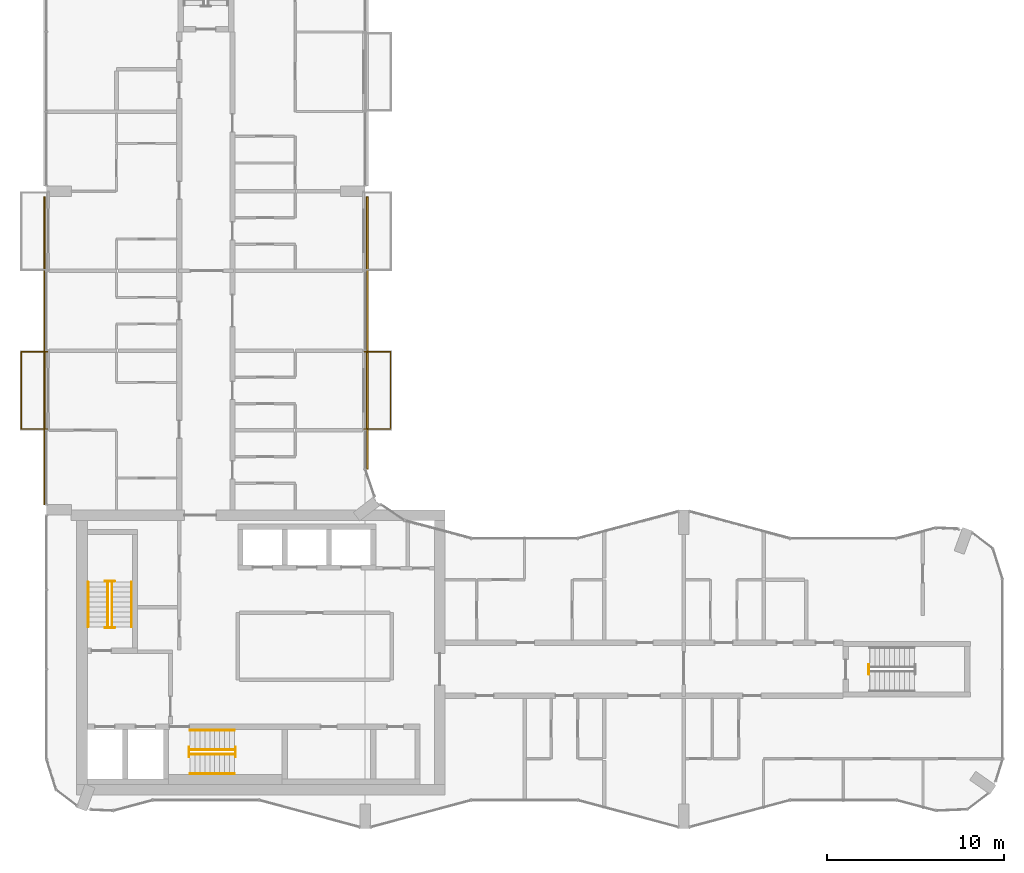
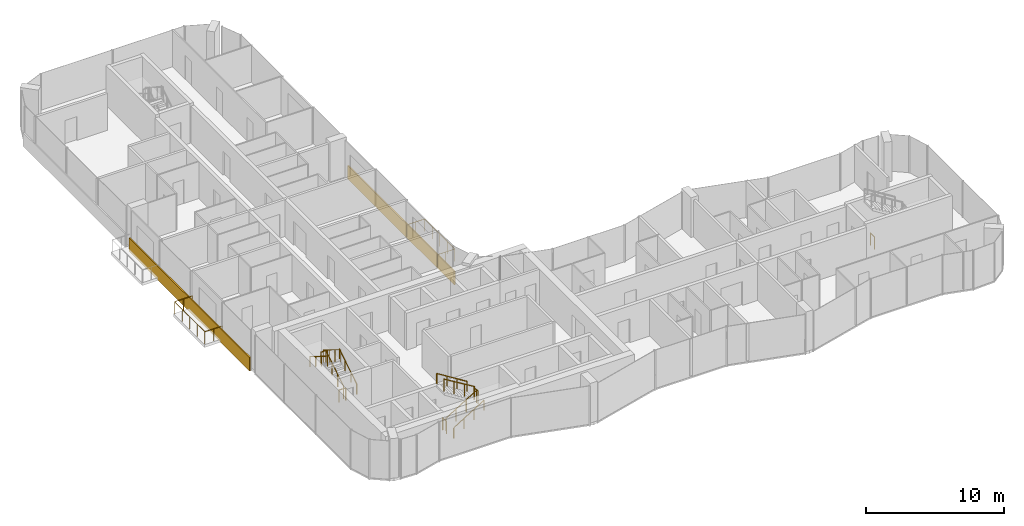
# One storey, part 15 of 17: 15 railings, 2 coverings.
"""IFC4 building model written with IfcOpenShell, lengths in metres."""

from ifc_helpers import new_model, si_unit, direction, frame, origin, origin_2d, place, context, subcontext, project, spatial, rectangle, circle, extrude, material, layer, layer_set, type_object, element, save


model = new_model("IFC4")

# Units and contexts
model_context = context("Model", 3, precision=1e-05, world=origin(), true_north=direction((0.0, 1.0)))
body_context = subcontext(model_context, "Body", "Model", "MODEL_VIEW")
ifc_project = project(units=[si_unit("LENGTHUNIT", "METRE"), si_unit("AREAUNIT", "SQUARE_METRE"), si_unit("VOLUMEUNIT", "CUBIC_METRE"), si_unit("PLANEANGLEUNIT", "RADIAN"), si_unit("MASSUNIT", "GRAM", prefix="KILO")], contexts=[model_context])

# Site, building, storey
site_placement = place(None, origin())
site = spatial("IfcSite", under=ifc_project, at=site_placement, CompositionType="ELEMENT")
building_placement = place(site_placement, origin())
building = spatial("IfcBuilding", under=site, at=building_placement, Name="Plateau Cross Towers", CompositionType="ELEMENT")
storey_placement = place(building_placement, frame((0.0, 0.0, 142.89990234375)))
storey = spatial("IfcBuildingStorey", under=building, at=storey_placement, Name="L36", CompositionType="ELEMENT", Elevation=142.89990234375)

# Railings
ifc_material_1 = material(Name="Stainless steel and toughened glass", Category="steel")
railing_type_1 = type_object("IfcRailingType", Name="Glass balustrade guard 1100", PredefinedType="GUARDRAIL", material=ifc_material_1)
railing_1_placement = place(storey_placement, frame((0.050048828125, 22.570068359375, 0.0)))
element("IfcRailing", 1, at=railing_1_placement, inside=storey, type_object=railing_type_1, Name="Guard guard1", PredefinedType="GUARDRAIL", context=body_context, shape_type="SweptSolid", body=[
    extrude(circle(Radius=0.02392578125, at=origin_2d()), frame((0.0, 0.0, 1.076171875), z_axis=(-1.0, 0.0, 0.0), x_axis=(0.0, -1.0, 0.0)), (0.0, 0.0, 1.0), 1.47998046875),
    extrude(circle(Radius=0.02392578125, at=origin_2d()), frame((-1.47998046875, 0.0, 1.076171875), z_axis=(0.0, 1.0, 0.0), x_axis=(-1.0, 0.0, 0.0)), (0.0, 0.0, 1.0), 4.35986328125),
    extrude(circle(Radius=0.02392578125, at=origin_2d()), frame((-1.47998046875, 4.35986328125, 1.076171875), z_axis=(1.0, 0.0, 0.0), x_axis=(0.0, 1.0, 0.0)), (0.0, 0.0, 1.0), 1.47998046875),
    extrude(circle(Radius=0.02099609375, at=origin_2d()), origin(), (0.0, 0.0, 1.0), 1.052001953125),
    extrude(circle(Radius=0.02099609375, at=origin_2d()), frame((-0.739990234375, 0.0, 0.0)), (0.0, 0.0, 1.0), 1.052001953125),
    extrude(circle(Radius=0.02099609375, at=origin_2d()), frame((-1.47998046875, 0.0, 0.0)), (0.0, 0.0, 1.0), 1.052001953125),
    extrude(circle(Radius=0.02099609375, at=origin_2d()), frame((-1.47998046875, 1.08984375, 0.0)), (0.0, 0.0, 1.0), 1.052001953125),
    extrude(circle(Radius=0.02099609375, at=origin_2d()), frame((-1.47998046875, 2.179931640625, 0.0)), (0.0, 0.0, 1.0), 1.052001953125),
    extrude(circle(Radius=0.02099609375, at=origin_2d()), frame((-1.47998046875, 3.27001953125, 0.0)), (0.0, 0.0, 1.0), 1.052001953125),
    extrude(circle(Radius=0.02099609375, at=origin_2d()), frame((-1.47998046875, 4.35986328125, 0.0)), (0.0, 0.0, 1.0), 1.052001953125),
    extrude(circle(Radius=0.02099609375, at=origin_2d()), frame((-0.739990234375, 4.35986328125, 0.0)), (0.0, 0.0, 1.0), 1.052001953125),
    extrude(circle(Radius=0.02099609375, at=origin_2d()), frame((0.0, 4.35986328125, 0.0)), (0.0, 0.0, 1.0), 1.052001953125),
])
railing_2_placement = place(storey_placement, frame((17.949951171875, 26.929931640625, 0.0)))
element("IfcRailing", 2, at=railing_2_placement, inside=storey, type_object=railing_type_1, Name="Guard guard1", PredefinedType="GUARDRAIL", context=body_context, shape_type="SweptSolid", body=[
    extrude(circle(Radius=0.02392578125, at=origin_2d()), frame((0.0, 0.0, 1.076171875), z_axis=(1.0, 0.0, 0.0), x_axis=(0.0, 1.0, 0.0)), (0.0, 0.0, 1.0), 1.47998046875),
    extrude(circle(Radius=0.02392578125, at=origin_2d()), frame((1.47998046875, 0.0, 1.076171875), z_axis=(0.0, -1.0, 0.0), x_axis=(1.0, 0.0, 0.0)), (0.0, 0.0, 1.0), 4.35986328125),
    extrude(circle(Radius=0.02392578125, at=origin_2d()), frame((1.47998046875, -4.35986328125, 1.076171875), z_axis=(-1.0, 0.0, 0.0), x_axis=(0.0, -1.0, 0.0)), (0.0, 0.0, 1.0), 1.47998046875),
    extrude(circle(Radius=0.02099609375, at=origin_2d()), origin(), (0.0, 0.0, 1.0), 1.052001953125),
    extrude(circle(Radius=0.02099609375, at=origin_2d()), frame((0.739990234375, 0.0, 0.0)), (0.0, 0.0, 1.0), 1.052001953125),
    extrude(circle(Radius=0.02099609375, at=origin_2d()), frame((1.47998046875, 0.0, 0.0)), (0.0, 0.0, 1.0), 1.052001953125),
    extrude(circle(Radius=0.02099609375, at=origin_2d()), frame((1.47998046875, -1.08984375, 0.0)), (0.0, 0.0, 1.0), 1.052001953125),
    extrude(circle(Radius=0.02099609375, at=origin_2d()), frame((1.47998046875, -2.179931640625, 0.0)), (0.0, 0.0, 1.0), 1.052001953125),
    extrude(circle(Radius=0.02099609375, at=origin_2d()), frame((1.47998046875, -3.27001953125, 0.0)), (0.0, 0.0, 1.0), 1.052001953125),
    extrude(circle(Radius=0.02099609375, at=origin_2d()), frame((1.47998046875, -4.35986328125, 0.0)), (0.0, 0.0, 1.0), 1.052001953125),
    extrude(circle(Radius=0.02099609375, at=origin_2d()), frame((0.739990234375, -4.35986328125, 0.0)), (0.0, 0.0, 1.0), 1.052001953125),
    extrude(circle(Radius=0.02099609375, at=origin_2d()), frame((0.0, -4.35986328125, 0.0)), (0.0, 0.0, 1.0), 1.052001953125),
])
railing_type_2 = type_object("IfcRailingType", Name="RL-GUARD-1100", PredefinedType="GUARDRAIL", material=ifc_material_1)
railing_3_placement = place(storey_placement, frame((3.699951171875, 11.39990234375, 0.175048828125)))
element("IfcRailing", 3, at=railing_3_placement, inside=storey, type_object=railing_type_2, Name="L36 ST-1 stair guard 1", PredefinedType="GUARDRAIL", context=body_context, shape_type="SweptSolid", body=[
    extrude(circle(Radius=0.02392578125, at=origin_2d()), frame((0.0, 0.0, 1.076171875), z_axis=(0.0, 0.848007534815, 0.529984170421), x_axis=(-1.0, 0.0, 0.0)), (0.0, 0.0, 1.0), 2.9716796875),
    extrude(circle(Radius=0.02099609375, at=origin_2d()), origin(), (0.0, 0.0, 1.0), 1.052001953125),
    extrude(circle(Radius=0.02099609375, at=origin_2d()), frame((0.0, 0.840087890625, 0.52490234375)), (0.0, 0.0, 1.0), 1.052001953125),
    extrude(circle(Radius=0.02099609375, at=origin_2d()), frame((0.0, 1.679931640625, 1.050048828125)), (0.0, 0.0, 1.0), 1.052001953125),
    extrude(circle(Radius=0.02099609375, at=origin_2d()), frame((0.0, 2.52001953125, 1.574951171875)), (0.0, 0.0, 1.0), 1.052001953125),
])
railing_4_placement = place(storey_placement, frame((3.85009765625, 13.969970703125, 1.75)))
element("IfcRailing", 4, at=railing_4_placement, inside=storey, type_object=railing_type_2, Name="L36 ST-1 stair guard 2", PredefinedType="GUARDRAIL", context=body_context, shape_type="SweptSolid", body=[
    extrude(circle(Radius=0.02392578125, at=origin_2d()), frame((0.0, 0.0, 1.076171875), z_axis=(-1.0, 0.0, 0.0), x_axis=(0.0, -1.0, 0.0)), (0.0, 0.0, 1.0), 0.550048828125),
    extrude(circle(Radius=0.02099609375, at=origin_2d()), origin(), (0.0, 0.0, 1.0), 1.052001953125),
    extrude(circle(Radius=0.02099609375, at=origin_2d()), frame((-0.550048828125, 0.0, 0.0)), (0.0, 0.0, 1.0), 1.052001953125),
])
railing_5_placement = place(storey_placement, frame((3.449951171875, 13.919921875, 1.925048828125)))
element("IfcRailing", 5, at=railing_5_placement, inside=storey, type_object=railing_type_2, Name="L36 ST-1 stair guard 3", PredefinedType="GUARDRAIL", context=body_context, shape_type="SweptSolid", body=[
    extrude(circle(Radius=0.02392578125, at=origin_2d()), frame((0.0, 0.0, 1.076171875), z_axis=(0.0, -0.852616386126, 0.522537365276), x_axis=(1.0, 0.0, 0.0)), (0.0, 0.0, 1.0), 3.01416015625),
    extrude(circle(Radius=0.02099609375, at=origin_2d()), origin(), (0.0, 0.0, 1.0), 1.052001953125),
    extrude(circle(Radius=0.02099609375, at=origin_2d()), frame((0.0, -0.856689453125, 0.52490234375)), (0.0, 0.0, 1.0), 1.052001953125),
    extrude(circle(Radius=0.02099609375, at=origin_2d()), frame((0.0, -1.713134765625, 1.050048828125)), (0.0, 0.0, 1.0), 1.052001953125),
    extrude(circle(Radius=0.02099609375, at=origin_2d()), frame((0.0, -2.56982421875, 1.574951171875)), (0.0, 0.0, 1.0), 1.052001953125),
])
railing_6_placement = place(storey_placement, frame((3.85009765625, 11.35009765625, 0.0)))
element("IfcRailing", 6, at=railing_6_placement, inside=storey, type_object=railing_type_2, Name="L36 ST-1 stair guard 4", PredefinedType="GUARDRAIL", context=body_context, shape_type="SweptSolid", body=[
    extrude(circle(Radius=0.02392578125, at=origin_2d()), frame((0.0, 0.0, 1.076171875), z_axis=(-1.0, 0.0, 0.0), x_axis=(0.0, -1.0, 0.0)), (0.0, 0.0, 1.0), 0.550048828125),
    extrude(circle(Radius=0.02099609375, at=origin_2d()), origin(), (0.0, 0.0, 1.0), 1.052001953125),
    extrude(circle(Radius=0.02099609375, at=origin_2d()), frame((-0.550048828125, 0.0, 0.0)), (0.0, 0.0, 1.0), 1.052001953125),
])
railing_7_placement = place(storey_placement, frame((8.10009765625, 4.199951171875, 0.175048828125)))
element("IfcRailing", 7, at=railing_7_placement, inside=storey, type_object=railing_type_2, Name="L36 ST-2 stair guard 1", PredefinedType="GUARDRAIL", context=body_context, shape_type="SweptSolid", body=[
    extrude(circle(Radius=0.02392578125, at=origin_2d()), frame((0.0, 0.0, 1.076171875), z_axis=(0.848007534815, 0.0, 0.529984170421), x_axis=(0.0, 1.0, 0.0)), (0.0, 0.0, 1.0), 2.9716796875),
    extrude(circle(Radius=0.02099609375, at=origin_2d()), origin(), (0.0, 0.0, 1.0), 1.052001953125),
    extrude(circle(Radius=0.02099609375, at=origin_2d()), frame((0.840087890625, 0.0, 0.52490234375)), (0.0, 0.0, 1.0), 1.052001953125),
    extrude(circle(Radius=0.02099609375, at=origin_2d()), frame((1.679931640625, 0.0, 1.050048828125)), (0.0, 0.0, 1.0), 1.052001953125),
    extrude(circle(Radius=0.02099609375, at=origin_2d()), frame((2.52001953125, 0.0, 1.574951171875)), (0.0, 0.0, 1.0), 1.052001953125),
])
railing_8_placement = place(storey_placement, frame((10.669921875, 4.050048828125, 1.75)))
element("IfcRailing", 8, at=railing_8_placement, inside=storey, type_object=railing_type_2, Name="L36 ST-2 stair guard 2", PredefinedType="GUARDRAIL", context=body_context, shape_type="SweptSolid", body=[
    extrude(circle(Radius=0.02392578125, at=origin_2d()), frame((0.0, 0.0, 1.076171875), z_axis=(0.0, 1.0, 0.0), x_axis=(-1.0, 0.0, 0.0)), (0.0, 0.0, 1.0), 0.550048828125),
    extrude(circle(Radius=0.02099609375, at=origin_2d()), origin(), (0.0, 0.0, 1.0), 1.052001953125),
    extrude(circle(Radius=0.02099609375, at=origin_2d()), frame((0.0, 0.550048828125, 0.0)), (0.0, 0.0, 1.0), 1.052001953125),
])
railing_9_placement = place(storey_placement, frame((10.6201171875, 4.449951171875, 1.925048828125)))
element("IfcRailing", 9, at=railing_9_placement, inside=storey, type_object=railing_type_2, Name="L36 ST-2 stair guard 3", PredefinedType="GUARDRAIL", context=body_context, shape_type="SweptSolid", body=[
    extrude(circle(Radius=0.02392578125, at=origin_2d()), frame((0.0, 0.0, 1.076171875), z_axis=(-0.852638500773, 0.0, 0.522501279423), x_axis=(0.0, -1.0, 0.0)), (0.0, 0.0, 1.0), 3.01416015625),
    extrude(circle(Radius=0.02099609375, at=origin_2d()), origin(), (0.0, 0.0, 1.0), 1.052001953125),
    extrude(circle(Radius=0.02099609375, at=origin_2d()), frame((-0.856689453125, 0.0, 0.52490234375)), (0.0, 0.0, 1.0), 1.052001953125),
    extrude(circle(Radius=0.02099609375, at=origin_2d()), frame((-1.71337890625, 0.0, 1.050048828125)), (0.0, 0.0, 1.0), 1.052001953125),
    extrude(circle(Radius=0.02099609375, at=origin_2d()), frame((-2.570068359375, 0.0, 1.574951171875)), (0.0, 0.0, 1.0), 1.052001953125),
])
railing_10_placement = place(storey_placement, frame((8.050048828125, 4.050048828125, 0.0)))
element("IfcRailing", 10, at=railing_10_placement, inside=storey, type_object=railing_type_2, Name="L36 ST-2 stair guard 4", PredefinedType="GUARDRAIL", context=body_context, shape_type="SweptSolid", body=[
    extrude(circle(Radius=0.02392578125, at=origin_2d()), frame((0.0, 0.0, 1.076171875), z_axis=(0.0, 1.0, 0.0), x_axis=(-1.0, 0.0, 0.0)), (0.0, 0.0, 1.0), 0.550048828125),
    extrude(circle(Radius=0.02099609375, at=origin_2d()), origin(), (0.0, 0.0, 1.0), 1.052001953125),
    extrude(circle(Radius=0.02099609375, at=origin_2d()), frame((0.0, 0.550048828125, 0.0)), (0.0, 0.0, 1.0), 1.052001953125),
])
railing_11_placement = place(storey_placement, frame((46.449951171875, 8.72509765625, 0.0)))
element("IfcRailing", 11, at=railing_11_placement, inside=storey, type_object=railing_type_2, Name="L36 ES-E stair guard 4", PredefinedType="GUARDRAIL", context=body_context, shape_type="SweptSolid", body=[
    extrude(circle(Radius=0.02392578125, at=origin_2d()), frame((0.0, 0.0, 1.076171875), z_axis=(0.0, 1.0, 0.0), x_axis=(-1.0, 0.0, 0.0)), (0.0, 0.0, 1.0), 0.5498046875),
    extrude(circle(Radius=0.02099609375, at=origin_2d()), origin(), (0.0, 0.0, 1.0), 1.052001953125),
    extrude(circle(Radius=0.02099609375, at=origin_2d()), frame((0.0, 0.5498046875, 0.0)), (0.0, 0.0, 1.0), 1.052001953125),
])
ifc_material_2 = material(Name="Black anodised aluminium", Category="aluminium")
railing_type_3 = type_object("IfcRailingType", Name="RL-HANDRAIL-900", PredefinedType="HANDRAIL", material=ifc_material_2)
railing_12_placement = place(storey_placement, frame((4.800048828125, 11.39990234375, 0.175048828125)))
element("IfcRailing", 12, at=railing_12_placement, inside=storey, type_object=railing_type_3, Name="L36 ST-1 stair handrail 1", PredefinedType="HANDRAIL", context=body_context, shape_type="SweptSolid", body=[
    extrude(circle(Radius=0.02392578125, at=origin_2d()), frame((0.0, 0.0, 0.8759765625), z_axis=(0.0, 0.848007534815, 0.529984170421), x_axis=(-1.0, 0.0, 0.0)), (0.0, 0.0, 1.0), 2.9716796875),
    extrude(circle(Radius=0.02099609375, at=origin_2d()), origin(), (0.0, 0.0, 1.0), 0.851806640625),
    extrude(circle(Radius=0.02099609375, at=origin_2d()), frame((0.0, 0.840087890625, 0.52490234375)), (0.0, 0.0, 1.0), 0.851806640625),
    extrude(circle(Radius=0.02099609375, at=origin_2d()), frame((0.0, 1.679931640625, 1.050048828125)), (0.0, 0.0, 1.0), 0.851806640625),
    extrude(circle(Radius=0.02099609375, at=origin_2d()), frame((0.0, 2.52001953125, 1.574951171875)), (0.0, 0.0, 1.0), 0.851806640625),
])
railing_13_placement = place(storey_placement, frame((2.35009765625, 13.919921875, 1.925048828125)))
element("IfcRailing", 13, at=railing_13_placement, inside=storey, type_object=railing_type_3, Name="L36 ST-1 stair handrail 2", PredefinedType="HANDRAIL", context=body_context, shape_type="SweptSolid", body=[
    extrude(circle(Radius=0.02392578125, at=origin_2d()), frame((0.0, 0.0, 0.8759765625), z_axis=(0.0, -0.848007534815, 0.529984170421), x_axis=(1.0, 0.0, 0.0)), (0.0, 0.0, 1.0), 2.9716796875),
    extrude(circle(Radius=0.02099609375, at=origin_2d()), origin(), (0.0, 0.0, 1.0), 0.851806640625),
    extrude(circle(Radius=0.02099609375, at=origin_2d()), frame((0.0, -0.840087890625, 0.52490234375)), (0.0, 0.0, 1.0), 0.851806640625),
    extrude(circle(Radius=0.02099609375, at=origin_2d()), frame((0.0, -1.679931640625, 1.050048828125)), (0.0, 0.0, 1.0), 0.851806640625),
    extrude(circle(Radius=0.02099609375, at=origin_2d()), frame((0.0, -2.52001953125, 1.574951171875)), (0.0, 0.0, 1.0), 0.851806640625),
])
railing_14_placement = place(storey_placement, frame((8.10009765625, 3.10009765625, 0.175048828125)))
element("IfcRailing", 14, at=railing_14_placement, inside=storey, type_object=railing_type_3, Name="L36 ST-2 stair handrail 1", PredefinedType="HANDRAIL", context=body_context, shape_type="SweptSolid", body=[
    extrude(circle(Radius=0.02392578125, at=origin_2d()), frame((0.0, 0.0, 0.8759765625), z_axis=(0.848007534815, 0.0, 0.529984170421), x_axis=(0.0, 1.0, 0.0)), (0.0, 0.0, 1.0), 2.9716796875),
    extrude(circle(Radius=0.02099609375, at=origin_2d()), origin(), (0.0, 0.0, 1.0), 0.851806640625),
    extrude(circle(Radius=0.02099609375, at=origin_2d()), frame((0.840087890625, 0.0, 0.52490234375)), (0.0, 0.0, 1.0), 0.851806640625),
    extrude(circle(Radius=0.02099609375, at=origin_2d()), frame((1.679931640625, 0.0, 1.050048828125)), (0.0, 0.0, 1.0), 0.851806640625),
    extrude(circle(Radius=0.02099609375, at=origin_2d()), frame((2.52001953125, 0.0, 1.574951171875)), (0.0, 0.0, 1.0), 0.851806640625),
])
railing_15_placement = place(storey_placement, frame((10.6201171875, 5.550048828125, 1.925048828125)))
element("IfcRailing", 15, at=railing_15_placement, inside=storey, type_object=railing_type_3, Name="L36 ST-2 stair handrail 2", PredefinedType="HANDRAIL", context=body_context, shape_type="SweptSolid", body=[
    extrude(circle(Radius=0.02392578125, at=origin_2d()), frame((0.0, 0.0, 0.8759765625), z_axis=(-0.848007534815, 0.0, 0.529984170421), x_axis=(0.0, -1.0, 0.0)), (0.0, 0.0, 1.0), 2.9716796875),
    extrude(circle(Radius=0.02099609375, at=origin_2d()), origin(), (0.0, 0.0, 1.0), 0.851806640625),
    extrude(circle(Radius=0.02099609375, at=origin_2d()), frame((-0.840087890625, 0.0, 0.52490234375)), (0.0, 0.0, 1.0), 0.851806640625),
    extrude(circle(Radius=0.02099609375, at=origin_2d()), frame((-1.679931640625, 0.0, 1.050048828125)), (0.0, 0.0, 1.0), 0.851806640625),
    extrude(circle(Radius=0.02099609375, at=origin_2d()), frame((-2.52001953125, 0.0, 1.574951171875)), (0.0, 0.0, 1.0), 0.851806640625),
])

# Coverings
ifc_material_3 = material(Name="Precast concrete cladding C40/50", Category="concrete")
ifc_layer = layer(ifc_material_3, 0.10009765625)
ifc_layer_set = layer_set([ifc_layer], Name="Precast concrete cladding C40/50")
covering_type = type_object("IfcCoveringType", Name="Spandrel band cladding 100x1200", PredefinedType="CLADDING", material=ifc_layer_set)
covering_1_placement = place(storey_placement, frame((18.1201171875, 28.001220703125, -0.25), z_axis=(0.0, 0.0, 1.0), x_axis=(0.0, 1.0, 0.0)))
element("IfcCovering", 16, at=covering_1_placement, inside=storey, type_object=covering_type, Name="Spandrel band", PredefinedType="CLADDING", context=body_context, shape_type="SweptSolid", body=[
    extrude(rectangle(XDim=15.397705078125, YDim=0.10009765625, at=origin_2d()), origin(), (0.0, 0.0, 1.0), 1.199951171875),
])
covering_2_placement = place(storey_placement, frame((-0.1201171875, 27.0, -0.25), z_axis=(0.0, 0.0, 1.0), x_axis=(0.0, -1.0, 0.0)))
element("IfcCovering", 17, at=covering_2_placement, inside=storey, type_object=covering_type, Name="Spandrel band", PredefinedType="CLADDING", context=body_context, shape_type="SweptSolid", body=[
    extrude(rectangle(XDim=17.39990234375, YDim=0.10009765625, at=origin_2d()), origin(), (0.0, 0.0, 1.0), 1.199951171875),
])

save(model, "model.ifc")
